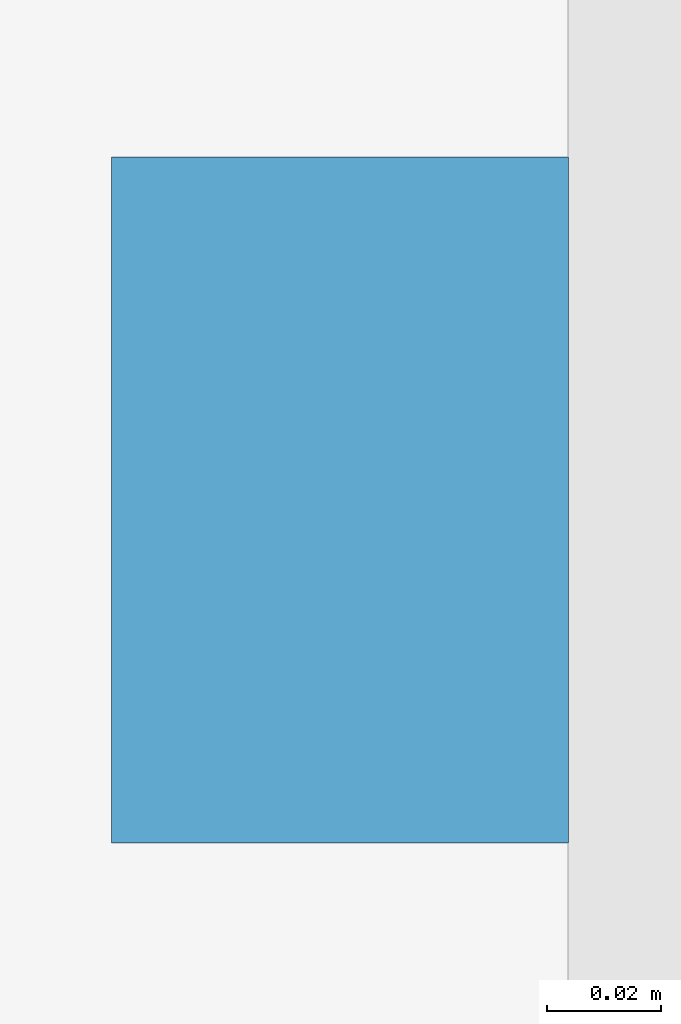
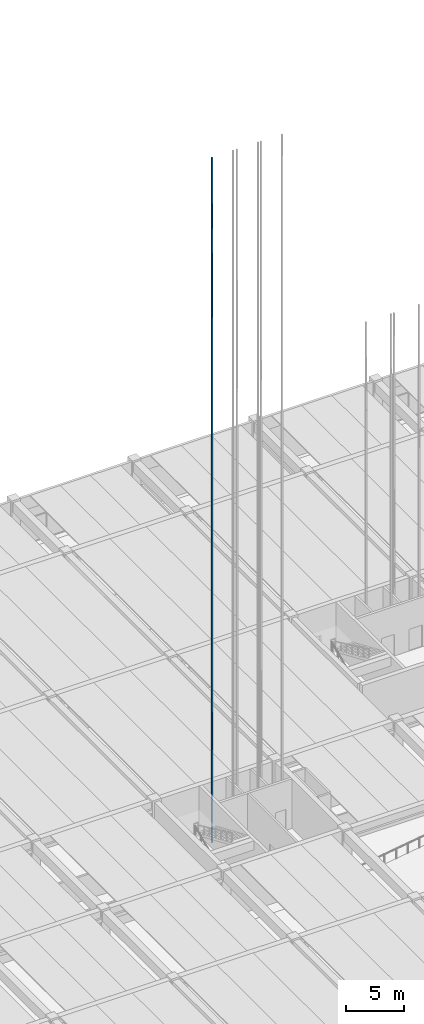
# One storey, part 37 of 59: 1 discrete accessory.
"""IFC4 building model written with IfcOpenShell, lengths in metres."""

from ifc_helpers import new_model, si_unit, direction, frame, origin, origin_2d, place, context, subcontext, project, spatial, rectangle, extrude, material, type_object, element, save


model = new_model("IFC4")

# Units and contexts
model_context = context("Model", 3, precision=1e-05, world=origin(), true_north=direction((0.0, 1.0)))
body_context = subcontext(model_context, "Body", "Model", "MODEL_VIEW")
ifc_project = project(units=[si_unit("LENGTHUNIT", "METRE"), si_unit("AREAUNIT", "SQUARE_METRE"), si_unit("VOLUMEUNIT", "CUBIC_METRE"), si_unit("PLANEANGLEUNIT", "RADIAN"), si_unit("MASSUNIT", "GRAM", prefix="KILO")], contexts=[model_context])

# Site, building, storey
site_placement = place(None, origin())
site = spatial("IfcSite", under=ifc_project, at=site_placement, CompositionType="ELEMENT")
building_placement = place(site_placement, origin())
building = spatial("IfcBuilding", under=site, at=building_placement, Name="Girod Span Mobility Hub", CompositionType="ELEMENT")
storey_placement = place(building_placement, origin())
storey = spatial("IfcBuildingStorey", under=building, at=storey_placement, Name="L00", CompositionType="ELEMENT", Elevation=0.0)

# Discrete accessory
ifc_material = material(Name="Steel A992 Grade 50", Category="steel")
discrete_accessory_type = type_object("IfcDiscreteAccessoryType", Name="ACC-LFT-RAIL", PredefinedType="USERDEFINED", material=ifc_material)
discrete_accessory_placement = place(storey_placement, frame((52.7451171875, 67.300048828125, 0.0), z_axis=(0.0, 0.0, 1.0), x_axis=(1.0, 0.0, 0.0)))
element("IfcDiscreteAccessory", 1, at=discrete_accessory_placement, inside=storey, type_object=discrete_accessory_type, Name="Hoistway Guide Rail FL-1-W", ObjectType="GUIDE RAIL", PredefinedType="USERDEFINED", context=body_context, shape_type="SweptSolid", body=[
    extrude(rectangle(XDim=0.080078125, YDim=0.1201171875, at=origin_2d()), origin(), (0.0, 0.0, 1.0), 71.949951171875),
])

save(model, "model.ifc")
